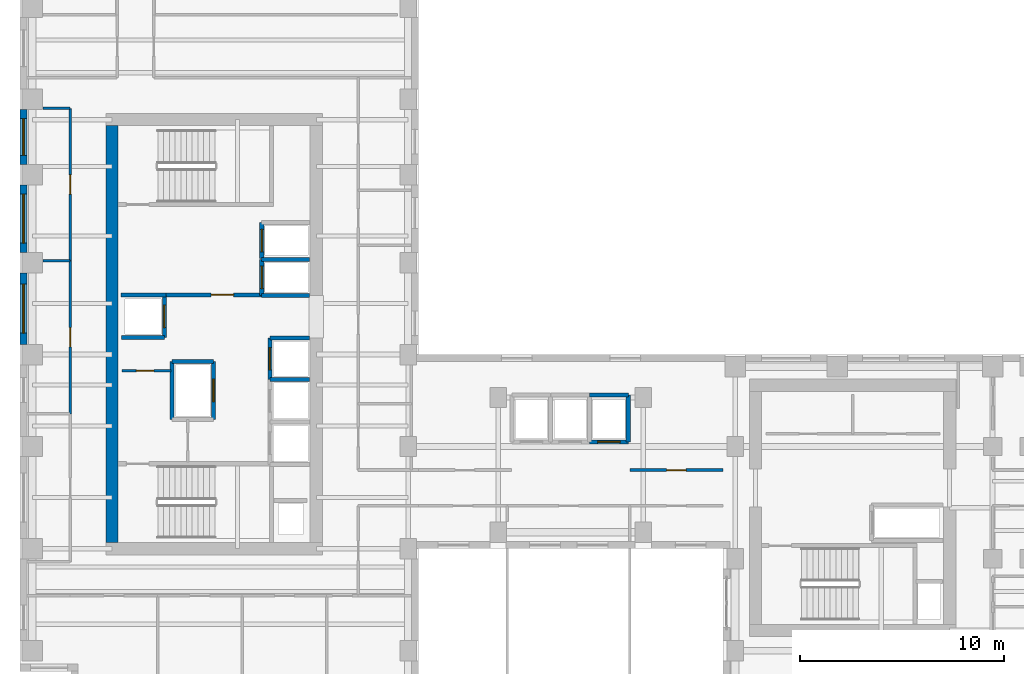
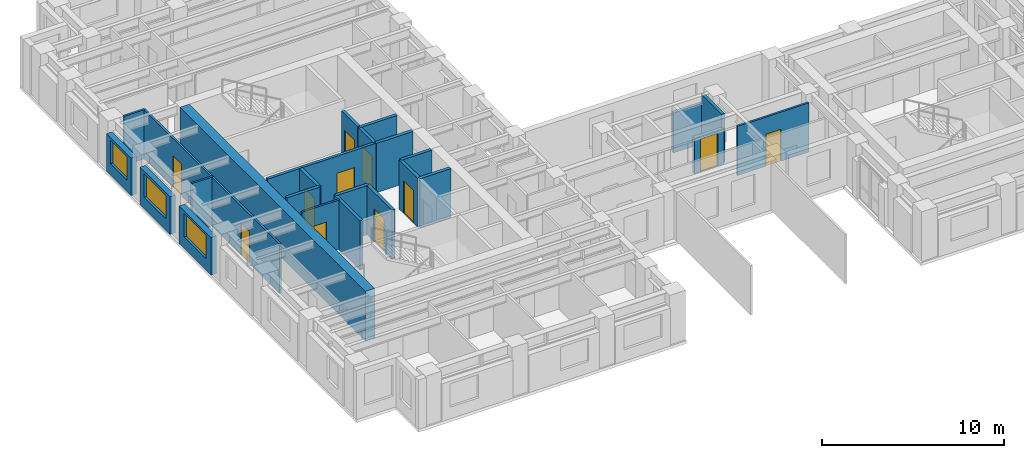
# One storey, part 6 of 12: 27 walls, 11 doors, 3 windows, 14 openings.
"""IFC4 building model written with IfcOpenShell, lengths in metres."""

from ifc_helpers import new_model, si_unit, direction, frame, frame_2d, origin, place, context, subcontext, project, spatial, rectangle, extrude, source, transform, mapped, material, layer, layer_set, type_object, element, fill, save


model = new_model("IFC4")

# Units and contexts
model_context = context("Model", 3, precision=1e-05, world=origin(), true_north=direction((0.0, 1.0)))
body_context = subcontext(model_context, "Body", "Model", "MODEL_VIEW")
ifc_project = project(units=[si_unit("LENGTHUNIT", "METRE"), si_unit("AREAUNIT", "SQUARE_METRE"), si_unit("VOLUMEUNIT", "CUBIC_METRE"), si_unit("PLANEANGLEUNIT", "RADIAN"), si_unit("MASSUNIT", "GRAM", prefix="KILO")], contexts=[model_context])

# Site, building, storey
site_placement = place(None, origin())
site = spatial("IfcSite", under=ifc_project, at=site_placement, CompositionType="ELEMENT")
building_placement = place(site_placement, origin())
building = spatial("IfcBuilding", under=site, at=building_placement, Name="Kharzan Plaza Tower", CompositionType="ELEMENT")
storey_placement = place(building_placement, frame((0.0, 0.0, 204.300048828125)))
storey = spatial("IfcBuildingStorey", under=building, at=storey_placement, Name="L55", CompositionType="ELEMENT", Elevation=204.300048828125)

# Wall, opening, window
ifc_material_1 = material(Name="Concrete C40/50", Category="concrete")
ifc_layer_1 = layer(ifc_material_1, 0.35009765625)
ifc_layer_set_1 = layer_set([ifc_layer_1], Name="Concrete C40/50")
wall_type_1 = type_object("IfcWallType", Name="WL-EXT-MAS-Z3", PredefinedType="SOLIDWALL", material=ifc_layer_set_1)
wall_1_placement = place(storey_placement, frame((0.175048828125, 30.001953125, 0.0), z_axis=(0.0, 0.0, 1.0), x_axis=(0.0, -1.0, 0.0)))
wall_1 = element("IfcWall", 1, at=wall_1_placement, inside=storey, type_object=wall_type_1, Name="L55 Masonry-Frame Exterior Wall 12", PredefinedType="SOLIDWALL", context=body_context, shape_type="SweptSolid", body=[
    extrude(rectangle(XDim=2.703857421875, YDim=0.35009765625, at=frame_2d((1.35205078125, 0.0))), origin(), (0.0, 0.0, 1.0), 2.531982421875),
])
opening_1_placement = place(wall_1_placement, frame((0.451904296875, 0.0, 0.780029296875)))
opening_1 = element("IfcOpeningElement", 2, at=opening_1_placement, cuts=wall_1, Name="Opening W1", PredefinedType="OPENING", context=body_context, shape_type="SweptSolid", body=[
    extrude(rectangle(XDim=1.800048828125, YDim=1.572021484375, at=frame_2d((0.89990234375, 0.7861328125))), frame((0.0, 0.18505859375, 0.0), z_axis=(0.0, -1.0, 0.0), x_axis=(1.0, 0.0, 0.0)), (0.0, 0.0, 1.0), 0.3701171875),
])
ifc_material_2 = material(Name="Low-E Double Glazing", Category="glass")
window_type_1 = type_object("IfcWindowType", Name="WN-REC-1800x2100", PartitioningType="SINGLE_PANEL", PredefinedType="WINDOW", material=ifc_material_2)
shared_shape_1 = source(origin(), body_context, "Body", "SweptSolid", [
    extrude(rectangle(XDim=1.800048828125, YDim=1.572021484375, at=frame_2d((0.89990234375, 0.7861328125))), frame((0.0, 0.030029296875, 0.0), z_axis=(0.0, -1.0, 0.0), x_axis=(1.0, 0.0, 0.0)), (0.0, 0.0, 1.0), 0.06005859375),
])
window_1_placement = place(opening_1_placement, origin())
window_1 = element("IfcWindow", 3, at=window_1_placement, inside=storey, type_object=window_type_1, Name="L55 Recessed Solar-Control Window 12-1", OverallHeight=1.572021484375, OverallWidth=1.800048828125, PartitioningType="SINGLE_PANEL", PredefinedType="WINDOW", context=body_context, shape_type="MappedRepresentation", body=[
    mapped(shared_shape_1, transform((0.0, 0.0, 0.0), x_axis=(1.0, 0.0, 0.0), y_axis=(0.0, 1.0, 0.0), z_axis=(0.0, 0.0, 1.0))),
])
fill(opening_1, window_1)

wall_2_placement = place(storey_placement, frame((0.175048828125, 26.302001953125, 0.0), z_axis=(0.0, 0.0, 1.0), x_axis=(0.0, -1.0, 0.0)))
wall_2 = element("IfcWall", 4, at=wall_2_placement, inside=storey, type_object=wall_type_1, Name="L55 Masonry-Frame Exterior Wall 13", PredefinedType="SOLIDWALL", context=body_context, shape_type="SweptSolid", body=[
    extrude(rectangle(XDim=3.303955078125, YDim=0.35009765625, at=frame_2d((1.65185546875, 0.0))), origin(), (0.0, 0.0, 1.0), 2.531982421875),
])
opening_2_placement = place(wall_2_placement, frame((0.451904296875, 0.0, 0.780029296875)))
opening_2 = element("IfcOpeningElement", 5, at=opening_2_placement, cuts=wall_2, Name="Opening W2", PredefinedType="OPENING", context=body_context, shape_type="SweptSolid", body=[
    extrude(rectangle(XDim=2.39990234375, YDim=1.572021484375, at=frame_2d((1.199951171875, 0.7861328125))), frame((0.0, 0.18505859375, 0.0), z_axis=(0.0, -1.0, 0.0), x_axis=(1.0, 0.0, 0.0)), (0.0, 0.0, 1.0), 0.3701171875),
])
window_type_2 = type_object("IfcWindowType", Name="WN-REC-2400x2100", PartitioningType="SINGLE_PANEL", PredefinedType="WINDOW", material=ifc_material_2)
shared_shape_2 = source(origin(), body_context, "Body", "SweptSolid", [
    extrude(rectangle(XDim=2.39990234375, YDim=1.572021484375, at=frame_2d((1.199951171875, 0.7861328125))), frame((0.0, 0.030029296875, 0.0), z_axis=(0.0, -1.0, 0.0), x_axis=(1.0, 0.0, 0.0)), (0.0, 0.0, 1.0), 0.06005859375),
])
window_2_placement = place(opening_2_placement, origin())
window_2 = element("IfcWindow", 6, at=window_2_placement, inside=storey, type_object=window_type_2, Name="L55 Wide Recessed Solar-Control Window 13-1", OverallHeight=1.572021484375, OverallWidth=2.39990234375, PartitioningType="SINGLE_PANEL", PredefinedType="WINDOW", context=body_context, shape_type="MappedRepresentation", body=[
    mapped(shared_shape_2, transform((0.0, 0.0, 0.0), x_axis=(1.0, 0.0, 0.0), y_axis=(0.0, 1.0, 0.0), z_axis=(0.0, 0.0, 1.0))),
])
fill(opening_2, window_2)

wall_3_placement = place(storey_placement, frame((0.175048828125, 22.001953125, 0.0), z_axis=(0.0, 0.0, 1.0), x_axis=(0.0, -1.0, 0.0)))
wall_3 = element("IfcWall", 7, at=wall_3_placement, inside=storey, type_object=wall_type_1, Name="L55 Masonry-Frame Exterior Wall 14", PredefinedType="SOLIDWALL", context=body_context, shape_type="SweptSolid", body=[
    extrude(rectangle(XDim=3.50390625, YDim=0.35009765625, at=frame_2d((1.751953125, 0.0))), origin(), (0.0, 0.0, 1.0), 2.531982421875),
])
opening_3_placement = place(wall_3_placement, frame((0.552001953125, 0.0, 0.780029296875)))
opening_3 = element("IfcOpeningElement", 8, at=opening_3_placement, cuts=wall_3, Name="Opening W2", PredefinedType="OPENING", context=body_context, shape_type="SweptSolid", body=[
    extrude(rectangle(XDim=2.39990234375, YDim=1.572021484375, at=frame_2d((1.199951171875, 0.7861328125))), frame((0.0, 0.18505859375, 0.0), z_axis=(0.0, -1.0, 0.0), x_axis=(1.0, 0.0, 0.0)), (0.0, 0.0, 1.0), 0.3701171875),
])
window_3_placement = place(opening_3_placement, origin())
window_3 = element("IfcWindow", 9, at=window_3_placement, inside=storey, type_object=window_type_2, Name="L55 Wide Recessed Solar-Control Window 14-1", OverallHeight=1.572021484375, OverallWidth=2.39990234375, PartitioningType="SINGLE_PANEL", PredefinedType="WINDOW", context=body_context, shape_type="MappedRepresentation", body=[
    mapped(shared_shape_2, transform((0.0, 0.0, 0.0), x_axis=(1.0, 0.0, 0.0), y_axis=(0.0, 1.0, 0.0), z_axis=(0.0, 0.0, 1.0))),
])
fill(opening_3, window_3)

# Wall, opening, door
ifc_layer_2 = layer(ifc_material_1, 0.179931640625)
ifc_layer_set_2 = layer_set([ifc_layer_2], Name="Concrete C40/50")
wall_type_2 = type_object("IfcWallType", Name="WL-INT-FIRE-180", PredefinedType="PARTITIONING", material=ifc_layer_set_2)
wall_4_placement = place(storey_placement, frame((7.14990234375, 20.919921875, 0.0), z_axis=(0.0, 0.0, 1.0), x_axis=(1.0, 0.0, 0.0)))
wall_4 = element("IfcWall", 10, at=wall_4_placement, inside=storey, type_object=wall_type_2, Name="L55 Interior Partition CA-FF-S", PredefinedType="PARTITIONING", context=body_context, shape_type="SweptSolid", body=[
    extrude(rectangle(XDim=4.68017578125, YDim=0.179931640625, at=frame_2d((2.340087890625, 0.0))), origin(), (0.0, 0.0, 1.0), 3.304931640625),
])
opening_4_placement = place(wall_4_placement, frame((2.199951171875, 0.0, 0.0)))
opening_4 = element("IfcOpeningElement", 11, at=opening_4_placement, cuts=wall_4, Name="Opening FD1", PredefinedType="OPENING", context=body_context, shape_type="SweptSolid", body=[
    extrude(rectangle(XDim=1.10009765625, YDim=2.14990234375, at=frame_2d((0.550048828125, 1.074951171875))), frame((0.0, 0.099853515625, 0.0), z_axis=(0.0, -1.0, 0.0), x_axis=(1.0, 0.0, 0.0)), (0.0, 0.0, 1.0), 0.199951171875),
])
ifc_material_3 = material(Name="Fire-Rated Acoustic Vision-Panel Steel", Category="steel")
door_type_1 = type_object("IfcDoorType", Name="DR-FIRE-LOBBY", OperationType="NOTDEFINED", PredefinedType="DOOR", material=ifc_material_3)
shared_shape_3 = source(origin(), body_context, "Body", "SweptSolid", [
    extrude(rectangle(XDim=1.10009765625, YDim=2.14990234375, at=frame_2d((0.550048828125, 1.074951171875))), frame((0.0, 0.02490234375, 0.0), z_axis=(0.0, -1.0, 0.0), x_axis=(1.0, 0.0, 0.0)), (0.0, 0.0, 1.0), 0.050048828125),
])
door_1_placement = place(opening_4_placement, origin())
door_1 = element("IfcDoor", 12, at=door_1_placement, inside=storey, type_object=door_type_1, Name="L55 Firefighting Lobby Door", OperationType="SINGLE_SWING_RIGHT", OverallHeight=2.14990234375, OverallWidth=1.10009765625, PredefinedType="DOOR", context=body_context, shape_type="MappedRepresentation", body=[
    mapped(shared_shape_3, transform((0.0, 0.0, 0.0), x_axis=(1.0, 0.0, 0.0), y_axis=(0.0, 1.0, 0.0), z_axis=(0.0, 0.0, 1.0))),
])
fill(opening_4, door_1)

ifc_material_4 = material(Name="Fire-Rated Gypsum Board Partition", Category="gypsum")
ifc_layer_3 = layer(ifc_material_4, 0.125)
ifc_layer_set_3 = layer_set([ifc_layer_3], Name="Fire-Rated Gypsum Board Partition")
wall_type_3 = type_object("IfcWallType", Name="WL-INT-PART-125", PredefinedType="PARTITIONING", material=ifc_layer_set_3)
wall_5_placement = place(storey_placement, frame((5.0, 17.199951171875, 0.0), z_axis=(0.0, 0.0, 1.0), x_axis=(1.0, 0.0, 0.0)))
wall_5 = element("IfcWall", 13, at=wall_5_placement, inside=storey, type_object=wall_type_3, Name="L55 Interior Partition CA-K1N2", PredefinedType="PARTITIONING", context=body_context, shape_type="SweptSolid", body=[
    extrude(rectangle(XDim=2.39990234375, YDim=0.125, at=frame_2d((1.199951171875, 0.0))), origin(), (0.0, 0.0, 1.0), 3.304931640625),
])
opening_5_placement = place(wall_5_placement, frame((0.699951171875, 0.0, 0.0)))
opening_5 = element("IfcOpeningElement", 14, at=opening_5_placement, cuts=wall_5, Name="Opening RD1", PredefinedType="OPENING", context=body_context, shape_type="SweptSolid", body=[
    extrude(rectangle(XDim=0.85009765625, YDim=2.10009765625, at=frame_2d((0.425048828125, 1.050048828125))), frame((0.0, 0.072509765625, 0.0), z_axis=(0.0, -1.0, 0.0), x_axis=(1.0, 0.0, 0.0)), (0.0, 0.0, 1.0), 0.14501953125),
])
ifc_material_5 = material(Name="Powder-Coated Fire-Rated Steel", Category="steel")
door_type_2 = type_object("IfcDoorType", Name="DR-RISER-900", OperationType="NOTDEFINED", PredefinedType="DOOR", material=ifc_material_5)
shared_shape_4 = source(origin(), body_context, "Body", "SweptSolid", [
    extrude(rectangle(XDim=0.85009765625, YDim=2.10009765625, at=frame_2d((0.425048828125, 1.050048828125))), frame((0.0, 0.02490234375, 0.0), z_axis=(0.0, -1.0, 0.0), x_axis=(1.0, 0.0, 0.0)), (0.0, 0.0, 1.0), 0.050048828125),
])
door_2_placement = place(opening_5_placement, origin())
door_2 = element("IfcDoor", 15, at=door_2_placement, inside=storey, type_object=door_type_2, Name="L55 Core Storage Room Door", OperationType="SINGLE_SWING_LEFT", OverallHeight=2.10009765625, OverallWidth=0.85009765625, PredefinedType="DOOR", context=body_context, shape_type="MappedRepresentation", body=[
    mapped(shared_shape_4, transform((0.0, 0.0, 0.0), x_axis=(1.0, 0.0, 0.0), y_axis=(0.0, 1.0, 0.0), z_axis=(0.0, 0.0, 1.0))),
])
fill(opening_5, door_2)

wall_6_placement = place(storey_placement, frame((29.85009765625, 12.35009765625, 0.0), z_axis=(0.0, 0.0, 1.0), x_axis=(1.0, 0.0, 0.0)))
wall_6 = element("IfcWall", 16, at=wall_6_placement, inside=storey, type_object=wall_type_3, Name="L55 Interior Partition SH-SPNE1", PredefinedType="PARTITIONING", context=body_context, shape_type="SweptSolid", body=[
    extrude(rectangle(XDim=4.5498046875, YDim=0.125, at=frame_2d((2.27490234375, 0.0))), origin(), (0.0, 0.0, 1.0), 3.304931640625),
])
opening_6_placement = place(wall_6_placement, frame((1.800048828125, 0.0, 0.0)))
opening_6 = element("IfcOpeningElement", 17, at=opening_6_placement, cuts=wall_6, Name="Opening OD1", PredefinedType="OPENING", context=body_context, shape_type="SweptSolid", body=[
    extrude(rectangle(XDim=0.949951171875, YDim=2.14990234375, at=frame_2d((0.47509765625, 1.074951171875))), frame((0.0, 0.072509765625, 0.0), z_axis=(0.0, -1.0, 0.0), x_axis=(1.0, 0.0, 0.0)), (0.0, 0.0, 1.0), 0.14501953125),
])
ifc_material_6 = material(Name="Acoustic Solid-Core Stained Oak", Category="timber")
door_type_3 = type_object("IfcDoorType", Name="DR-OFF-SINGLE", OperationType="NOTDEFINED", PredefinedType="DOOR", material=ifc_material_6)
shared_shape_5 = source(origin(), body_context, "Body", "SweptSolid", [
    extrude(rectangle(XDim=0.949951171875, YDim=2.14990234375, at=frame_2d((0.47509765625, 1.074951171875))), frame((0.0, 0.02490234375, 0.0), z_axis=(0.0, -1.0, 0.0), x_axis=(1.0, 0.0, 0.0)), (0.0, 0.0, 1.0), 0.050048828125),
])
door_3_placement = place(opening_6_placement, origin())
door_3 = element("IfcDoor", 18, at=door_3_placement, inside=storey, type_object=door_type_3, Name="L55 North-East Spine Door", OperationType="SINGLE_SWING_LEFT", OverallHeight=2.14990234375, OverallWidth=0.949951171875, PredefinedType="DOOR", context=body_context, shape_type="MappedRepresentation", body=[
    mapped(shared_shape_5, transform((0.0, 0.0, 0.0), x_axis=(1.0, 0.0, 0.0), y_axis=(0.0, 1.0, 0.0), z_axis=(0.0, 0.0, 1.0))),
])
fill(opening_6, door_3)

wall_7_placement = place(storey_placement, frame((2.449951171875, 15.10009765625, 0.0), z_axis=(0.0, 0.0, 1.0), x_axis=(0.0, 1.0, 0.0)))
wall_7 = element("IfcWall", 19, at=wall_7_placement, inside=storey, type_object=wall_type_3, Name="L55 Interior Partition SH-WW-2", PredefinedType="PARTITIONING", context=body_context, shape_type="SweptSolid", body=[
    extrude(rectangle(XDim=7.5, YDim=0.125, at=frame_2d((3.75, 0.0))), origin(), (0.0, 0.0, 1.0), 3.304931640625),
])
opening_7_placement = place(wall_7_placement, frame((3.27490234375, 0.0, 0.0)))
opening_7 = element("IfcOpeningElement", 20, at=opening_7_placement, cuts=wall_7, Name="Opening OD1", PredefinedType="OPENING", context=body_context, shape_type="SweptSolid", body=[
    extrude(rectangle(XDim=0.949951171875, YDim=2.14990234375, at=frame_2d((0.47509765625, 1.074951171875))), frame((0.0, 0.072509765625, 0.0), z_axis=(0.0, -1.0, 0.0), x_axis=(1.0, 0.0, 0.0)), (0.0, 0.0, 1.0), 0.14501953125),
])
door_4_placement = place(opening_7_placement, origin())
door_4 = element("IfcDoor", 21, at=door_4_placement, inside=storey, type_object=door_type_3, Name="L55 Executive Boardroom Door", OperationType="SINGLE_SWING_LEFT", OverallHeight=2.14990234375, OverallWidth=0.949951171875, PredefinedType="DOOR", context=body_context, shape_type="MappedRepresentation", body=[
    mapped(shared_shape_5, transform((0.0, 0.0, 0.0), x_axis=(1.0, 0.0, 0.0), y_axis=(0.0, 1.0, 0.0), z_axis=(0.0, 0.0, 1.0))),
])
fill(opening_7, door_4)

wall_8_placement = place(storey_placement, frame((2.449951171875, 22.60009765625, 0.0), z_axis=(0.0, 0.0, 1.0), x_axis=(0.0, 1.0, 0.0)))
wall_8 = element("IfcWall", 22, at=wall_8_placement, inside=storey, type_object=wall_type_3, Name="L55 Interior Partition SH-WW-3", PredefinedType="PARTITIONING", context=body_context, shape_type="SweptSolid", body=[
    extrude(rectangle(XDim=7.449951171875, YDim=0.125, at=frame_2d((3.72509765625, 0.0))), origin(), (0.0, 0.0, 1.0), 3.304931640625),
])
opening_8_placement = place(wall_8_placement, frame((3.25, 0.0, 0.0)))
opening_8 = element("IfcOpeningElement", 23, at=opening_8_placement, cuts=wall_8, Name="Opening OD1", PredefinedType="OPENING", context=body_context, shape_type="SweptSolid", body=[
    extrude(rectangle(XDim=0.949951171875, YDim=2.14990234375, at=frame_2d((0.47509765625, 1.074951171875))), frame((0.0, 0.072509765625, 0.0), z_axis=(0.0, -1.0, 0.0), x_axis=(1.0, 0.0, 0.0)), (0.0, 0.0, 1.0), 0.14501953125),
])
door_5_placement = place(opening_8_placement, origin())
door_5 = element("IfcDoor", 24, at=door_5_placement, inside=storey, type_object=door_type_3, Name="L55 Staff Tea Pantry Door", OperationType="SINGLE_SWING_RIGHT", OverallHeight=2.14990234375, OverallWidth=0.949951171875, PredefinedType="DOOR", context=body_context, shape_type="MappedRepresentation", body=[
    mapped(shared_shape_5, transform((0.0, 0.0, 0.0), x_axis=(1.0, 0.0, 0.0), y_axis=(0.0, 1.0, 0.0), z_axis=(0.0, 0.0, 1.0))),
])
fill(opening_8, door_5)

ifc_layer_4 = layer(ifc_material_1, 0.199951171875)
ifc_layer_set_4 = layer_set([ifc_layer_4], Name="Concrete C40/50")
wall_type_4 = type_object("IfcWallType", Name="WL-INT-SHAFT-200", PredefinedType="PARTITIONING", material=ifc_layer_set_4)
wall_9_placement = place(storey_placement, frame((11.830078125, 20.89990234375, 0.0), z_axis=(0.0, 0.0, 1.0), x_axis=(0.0, 1.0, 0.0)))
wall_9 = element("IfcWall", 25, at=wall_9_placement, inside=storey, type_object=wall_type_4, Name="L55 Interior Partition SHF-FFL-1-W", PredefinedType="PARTITIONING", context=body_context, shape_type="SweptSolid", body=[
    extrude(rectangle(XDim=1.760009765625, YDim=0.199951171875, at=frame_2d((0.8798828125, 0.0))), origin(), (0.0, 0.0, 1.0), 3.304931640625),
])
opening_9_placement = place(wall_9_placement, frame((0.330078125, 0.0, 0.0)))
opening_9 = element("IfcOpeningElement", 26, at=opening_9_placement, cuts=wall_9, Name="Opening LD", PredefinedType="OPENING", context=body_context, shape_type="SweptSolid", body=[
    extrude(rectangle(XDim=1.10009765625, YDim=2.199951171875, at=frame_2d((0.550048828125, 1.10009765625))), frame((0.0, 0.10986328125, 0.0), z_axis=(0.0, -1.0, 0.0), x_axis=(1.0, 0.0, 0.0)), (0.0, 0.0, 1.0), 0.219970703125),
])
ifc_material_7 = material(Name="Brushed Stainless Steel", Category="steel")
door_type_4 = type_object("IfcDoorType", Name="DR-LIFT-SLIDE", OperationType="SLIDING_TO_LEFT", PredefinedType="DOOR", material=ifc_material_7)
shared_shape_6 = source(origin(), body_context, "Body", "SweptSolid", [
    extrude(rectangle(XDim=1.10009765625, YDim=2.199951171875, at=frame_2d((0.550048828125, 1.10009765625))), frame((0.0, 0.02490234375, 0.0), z_axis=(0.0, -1.0, 0.0), x_axis=(1.0, 0.0, 0.0)), (0.0, 0.0, 1.0), 0.050048828125),
])
door_6_placement = place(opening_9_placement, origin())
door_6 = element("IfcDoor", 27, at=door_6_placement, inside=storey, type_object=door_type_4, Name="L55 Firefighting Lift FFL-1 Sliding Landing Door", OperationType="SLIDING_TO_LEFT", OverallHeight=2.199951171875, OverallWidth=1.10009765625, PredefinedType="DOOR", context=body_context, shape_type="MappedRepresentation", body=[
    mapped(shared_shape_6, transform((0.0, 0.0, 0.0), x_axis=(1.0, 0.0, 0.0), y_axis=(0.0, 1.0, 0.0), z_axis=(0.0, 0.0, 1.0))),
])
fill(opening_9, door_6)

wall_10_placement = place(storey_placement, frame((11.830078125, 22.699951171875, 0.0), z_axis=(0.0, 0.0, 1.0), x_axis=(0.0, 1.0, 0.0)))
wall_10 = element("IfcWall", 28, at=wall_10_placement, inside=storey, type_object=wall_type_4, Name="L55 Interior Partition SHF-FFL-2-W", PredefinedType="PARTITIONING", context=body_context, shape_type="SweptSolid", body=[
    extrude(rectangle(XDim=1.760009765625, YDim=0.199951171875, at=frame_2d((0.8798828125, 0.0))), origin(), (0.0, 0.0, 1.0), 3.304931640625),
])
opening_10_placement = place(wall_10_placement, frame((0.330078125, 0.0, 0.0)))
opening_10 = element("IfcOpeningElement", 29, at=opening_10_placement, cuts=wall_10, Name="Opening LD", PredefinedType="OPENING", context=body_context, shape_type="SweptSolid", body=[
    extrude(rectangle(XDim=1.10009765625, YDim=2.199951171875, at=frame_2d((0.550048828125, 1.10009765625))), frame((0.0, 0.10986328125, 0.0), z_axis=(0.0, -1.0, 0.0), x_axis=(1.0, 0.0, 0.0)), (0.0, 0.0, 1.0), 0.219970703125),
])
door_7_placement = place(opening_10_placement, origin())
door_7 = element("IfcDoor", 30, at=door_7_placement, inside=storey, type_object=door_type_4, Name="L55 Firefighting Lift FFL-2 Sliding Landing Door", OperationType="SLIDING_TO_LEFT", OverallHeight=2.199951171875, OverallWidth=1.10009765625, PredefinedType="DOOR", context=body_context, shape_type="MappedRepresentation", body=[
    mapped(shared_shape_6, transform((0.0, 0.0, 0.0), x_axis=(1.0, 0.0, 0.0), y_axis=(0.0, 1.0, 0.0), z_axis=(0.0, 0.0, 1.0))),
])
fill(opening_10, door_7)

wall_11_placement = place(storey_placement, frame((12.22998046875, 16.77001953125, 0.0), z_axis=(0.0, 0.0, 1.0), x_axis=(0.0, 1.0, 0.0)))
wall_11 = element("IfcWall", 31, at=wall_11_placement, inside=storey, type_object=wall_type_4, Name="L55 Interior Partition SHF-PL-H3-W", PredefinedType="PARTITIONING", context=body_context, shape_type="SweptSolid", body=[
    extrude(rectangle(XDim=2.050048828125, YDim=0.199951171875, at=frame_2d((1.02490234375, 0.0))), origin(), (0.0, 0.0, 1.0), 3.304931640625),
])
opening_11_placement = place(wall_11_placement, frame((0.47509765625, 0.0, 0.0)))
opening_11 = element("IfcOpeningElement", 32, at=opening_11_placement, cuts=wall_11, Name="Opening LD", PredefinedType="OPENING", context=body_context, shape_type="SweptSolid", body=[
    extrude(rectangle(XDim=1.10009765625, YDim=2.199951171875, at=frame_2d((0.550048828125, 1.10009765625))), frame((0.0, 0.10986328125, 0.0), z_axis=(0.0, -1.0, 0.0), x_axis=(1.0, 0.0, 0.0)), (0.0, 0.0, 1.0), 0.219970703125),
])
door_8_placement = place(opening_11_placement, origin())
door_8 = element("IfcDoor", 33, at=door_8_placement, inside=storey, type_object=door_type_4, Name="L55 High-Rise Passenger Lift PL-H3 Sliding Landing Door", OperationType="SLIDING_TO_LEFT", OverallHeight=2.199951171875, OverallWidth=1.10009765625, PredefinedType="DOOR", context=body_context, shape_type="MappedRepresentation", body=[
    mapped(shared_shape_6, transform((0.0, 0.0, 0.0), x_axis=(1.0, 0.0, 0.0), y_axis=(0.0, 1.0, 0.0), z_axis=(0.0, 0.0, 1.0))),
])
fill(opening_11, door_8)

wall_12_placement = place(storey_placement, frame((7.070068359375, 18.840087890625, 0.0), z_axis=(0.0, 0.0, 1.0), x_axis=(0.0, 1.0, 0.0)))
wall_12 = element("IfcWall", 34, at=wall_12_placement, inside=storey, type_object=wall_type_4, Name="L55 Interior Partition SHF-PL-H4-E", PredefinedType="PARTITIONING", context=body_context, shape_type="SweptSolid", body=[
    extrude(rectangle(XDim=2.059814453125, YDim=0.199951171875, at=frame_2d((1.02978515625, 0.0))), origin(), (0.0, 0.0, 1.0), 3.304931640625),
])
opening_12_placement = place(wall_12_placement, frame((0.47998046875, 0.0, 0.0)))
opening_12 = element("IfcOpeningElement", 35, at=opening_12_placement, cuts=wall_12, Name="Opening LD", PredefinedType="OPENING", context=body_context, shape_type="SweptSolid", body=[
    extrude(rectangle(XDim=1.10009765625, YDim=2.199951171875, at=frame_2d((0.550048828125, 1.10009765625))), frame((0.0, 0.10986328125, 0.0), z_axis=(0.0, -1.0, 0.0), x_axis=(1.0, 0.0, 0.0)), (0.0, 0.0, 1.0), 0.219970703125),
])
door_9_placement = place(opening_12_placement, origin())
door_9 = element("IfcDoor", 36, at=door_9_placement, inside=storey, type_object=door_type_4, Name="L55 High-Rise Passenger Lift PL-H4 Sliding Landing Door", OperationType="SLIDING_TO_LEFT", OverallHeight=2.199951171875, OverallWidth=1.10009765625, PredefinedType="DOOR", context=body_context, shape_type="MappedRepresentation", body=[
    mapped(shared_shape_6, transform((0.0, 0.0, 0.0), x_axis=(1.0, 0.0, 0.0), y_axis=(0.0, 1.0, 0.0), z_axis=(0.0, 0.0, 1.0))),
])
fill(opening_12, door_9)

wall_13_placement = place(storey_placement, frame((27.8798828125, 13.72998046875, 0.0), z_axis=(0.0, 0.0, 1.0), x_axis=(1.0, 0.0, 0.0)))
wall_13 = element("IfcWall", 37, at=wall_13_placement, inside=storey, type_object=wall_type_4, Name="L55 Interior Partition SHF-PL-M3-S", PredefinedType="PARTITIONING", context=body_context, shape_type="SweptSolid", body=[
    extrude(rectangle(XDim=1.89013671875, YDim=0.199951171875, at=frame_2d((0.945068359375, 0.0))), origin(), (0.0, 0.0, 1.0), 2.385986328125),
])
opening_13_placement = place(wall_13_placement, frame((0.39501953125, 0.0, 0.0)))
opening_13 = element("IfcOpeningElement", 38, at=opening_13_placement, cuts=wall_13, Name="Opening LD", PredefinedType="OPENING", context=body_context, shape_type="SweptSolid", body=[
    extrude(rectangle(XDim=1.10009765625, YDim=2.199951171875, at=frame_2d((0.550048828125, 1.10009765625))), frame((0.0, 0.10986328125, 0.0), z_axis=(0.0, -1.0, 0.0), x_axis=(1.0, 0.0, 0.0)), (0.0, 0.0, 1.0), 0.219970703125),
])
door_10_placement = place(opening_13_placement, origin())
door_10 = element("IfcDoor", 39, at=door_10_placement, inside=storey, type_object=door_type_4, Name="L55 Mid-Rise Passenger Lift PL-M3 Sliding Landing Door", OperationType="SLIDING_TO_LEFT", OverallHeight=2.199951171875, OverallWidth=1.10009765625, PredefinedType="DOOR", context=body_context, shape_type="MappedRepresentation", body=[
    mapped(shared_shape_6, transform((0.0, 0.0, 0.0), x_axis=(1.0, 0.0, 0.0), y_axis=(0.0, 1.0, 0.0), z_axis=(0.0, 0.0, 1.0))),
])
fill(opening_13, door_10)

wall_14_placement = place(storey_placement, frame((9.469970703125, 14.830078125, 0.0), z_axis=(0.0, 0.0, 1.0), x_axis=(0.0, 1.0, 0.0)))
wall_14 = element("IfcWall", 40, at=wall_14_placement, inside=storey, type_object=wall_type_4, Name="L55 Interior Partition SHF-SVL-1-E", PredefinedType="PARTITIONING", context=body_context, shape_type="SweptSolid", body=[
    extrude(rectangle(XDim=2.83984375, YDim=0.199951171875, at=frame_2d((1.419921875, 0.0))), origin(), (0.0, 0.0, 1.0), 3.304931640625),
])
opening_14_placement = place(wall_14_placement, frame((0.8701171875, 0.0, 0.0)))
opening_14 = element("IfcOpeningElement", 41, at=opening_14_placement, cuts=wall_14, Name="Opening LD", PredefinedType="OPENING", context=body_context, shape_type="SweptSolid", body=[
    extrude(rectangle(XDim=1.10009765625, YDim=2.199951171875, at=frame_2d((0.550048828125, 1.10009765625))), frame((0.0, 0.10986328125, 0.0), z_axis=(0.0, -1.0, 0.0), x_axis=(1.0, 0.0, 0.0)), (0.0, 0.0, 1.0), 0.219970703125),
])
door_11_placement = place(opening_14_placement, origin())
door_11 = element("IfcDoor", 42, at=door_11_placement, inside=storey, type_object=door_type_4, Name="L55 Service Lift SVL-1 Sliding Landing Door", OperationType="SLIDING_TO_LEFT", OverallHeight=2.199951171875, OverallWidth=1.10009765625, PredefinedType="DOOR", context=body_context, shape_type="MappedRepresentation", body=[
    mapped(shared_shape_6, transform((0.0, 0.0, 0.0), x_axis=(1.0, 0.0, 0.0), y_axis=(0.0, 1.0, 0.0), z_axis=(0.0, 0.0, 1.0))),
])
fill(opening_14, door_11)

# Walls
shared_shape_7 = source(origin(), body_context, "Body", "SweptSolid", [
    extrude(rectangle(XDim=2.090087890625, YDim=0.199951171875, at=frame_2d((1.044921875, 0.0))), origin(), (0.0, 0.0, 1.0), 3.304931640625),
])
wall_15_placement = place(storey_placement, frame((4.97998046875, 18.840087890625, 0.0), z_axis=(0.0, 0.0, 1.0), x_axis=(1.0, 0.0, 0.0)))
element("IfcWall", 43, at=wall_15_placement, inside=storey, type_object=wall_type_4, Name="L55 Interior Partition SHF-PL-H4-S", PredefinedType="PARTITIONING", context=body_context, shape_type="MappedRepresentation", body=[
    mapped(shared_shape_7, transform((0.0, 0.0, 0.0), x_axis=(1.0, 0.0, 0.0), y_axis=(0.0, 1.0, 0.0), z_axis=(0.0, 0.0, 1.0))),
])
shared_shape_8 = source(origin(), body_context, "Body", "SweptSolid", [
    extrude(rectangle(XDim=2.2900390625, YDim=0.199951171875, at=frame_2d((1.14501953125, 0.0))), origin(), (0.0, 0.0, 1.0), 3.304931640625),
])
wall_16_placement = place(storey_placement, frame((29.77001953125, 13.72998046875, 0.0), z_axis=(0.0, 0.0, 1.0), x_axis=(0.0, 1.0, 0.0)))
element("IfcWall", 44, at=wall_16_placement, inside=storey, type_object=wall_type_4, Name="L55 Interior Partition SHF-PL-M3-E", PredefinedType="PARTITIONING", context=body_context, shape_type="MappedRepresentation", body=[
    mapped(shared_shape_8, transform((0.0, 0.0, 0.0), x_axis=(1.0, 0.0, 0.0), y_axis=(0.0, 1.0, 0.0), z_axis=(0.0, 0.0, 1.0))),
])
shared_shape_9 = source(origin(), body_context, "Body", "SweptSolid", [
    extrude(rectangle(XDim=2.0400390625, YDim=0.199951171875, at=frame_2d((1.02001953125, 0.0))), origin(), (0.0, 0.0, 1.0), 3.304931640625),
])
wall_17_placement = place(storey_placement, frame((7.429931640625, 17.669921875, 0.0), z_axis=(0.0, 0.0, 1.0), x_axis=(1.0, 0.0, 0.0)))
element("IfcWall", 45, at=wall_17_placement, inside=storey, type_object=wall_type_4, Name="L55 Interior Partition SHF-SVL-1-N", PredefinedType="PARTITIONING", context=body_context, shape_type="MappedRepresentation", body=[
    mapped(shared_shape_9, transform((0.0, 0.0, 0.0), x_axis=(1.0, 0.0, 0.0), y_axis=(0.0, 1.0, 0.0), z_axis=(0.0, 0.0, 1.0))),
])
shared_shape_10 = source(origin(), body_context, "Body", "SweptSolid", [
    extrude(rectangle(XDim=2.83984375, YDim=0.199951171875, at=frame_2d((1.419921875, 0.0))), origin(), (0.0, 0.0, 1.0), 3.304931640625),
])
wall_18_placement = place(storey_placement, frame((7.429931640625, 14.830078125, 0.0), z_axis=(0.0, 0.0, 1.0), x_axis=(0.0, 1.0, 0.0)))
element("IfcWall", 46, at=wall_18_placement, inside=storey, type_object=wall_type_4, Name="L55 Interior Partition SHF-SVL-1-W", PredefinedType="PARTITIONING", context=body_context, shape_type="MappedRepresentation", body=[
    mapped(shared_shape_10, transform((0.0, 0.0, 0.0), x_axis=(1.0, 0.0, 0.0), y_axis=(0.0, 1.0, 0.0), z_axis=(0.0, 0.0, 1.0))),
])
shared_shape_11 = source(origin(), body_context, "Body", "SweptSolid", [
    extrude(rectangle(XDim=2.199951171875, YDim=0.179931640625, at=frame_2d((1.10009765625, 0.0))), origin(), (0.0, 0.0, 1.0), 3.304931640625),
])
wall_19_placement = place(storey_placement, frame((4.949951171875, 20.919921875, 0.0), z_axis=(0.0, 0.0, 1.0), x_axis=(1.0, 0.0, 0.0)))
element("IfcWall", 47, at=wall_19_placement, inside=storey, type_object=wall_type_2, Name="L55 Interior Partition CA-FF-SW", PredefinedType="PARTITIONING", context=body_context, shape_type="MappedRepresentation", body=[
    mapped(shared_shape_11, transform((0.0, 0.0, 0.0), x_axis=(1.0, 0.0, 0.0), y_axis=(0.0, 1.0, 0.0), z_axis=(0.0, 0.0, 1.0))),
])
ifc_material_8 = material(Name="Concrete C50/60", Category="concrete")
ifc_layer_5 = layer(ifc_material_8, 0.60009765625)
ifc_layer_set_5 = layer_set([ifc_layer_5], Name="Concrete C50/60")
wall_type_5 = type_object("IfcWallType", Name="WL-CORE-600", PredefinedType="SHEAR", material=ifc_layer_set_5)
shared_shape_12 = source(origin(), body_context, "Body", "SweptSolid", [
    extrude(rectangle(XDim=20.39990234375, YDim=0.60009765625, at=frame_2d((10.199951171875, 0.0))), origin(), (0.0, 0.0, 1.0), 3.320068359375),
])
wall_20_placement = place(storey_placement, frame((4.5, 8.800048828125, 0.0), z_axis=(0.0, 0.0, 1.0), x_axis=(0.0, 1.0, 0.0)))
element("IfcWall", 48, at=wall_20_placement, inside=storey, type_object=wall_type_5, Name="L55 CORE-A west RC shear wall", PredefinedType="SHEAR", context=body_context, shape_type="MappedRepresentation", body=[
    mapped(shared_shape_12, transform((0.0, 0.0, 0.0), x_axis=(1.0, 0.0, 0.0), y_axis=(0.0, 1.0, 0.0), z_axis=(0.0, 0.0, 1.0))),
])
shared_shape_13 = source(origin(), body_context, "Body", "SweptSolid", [
    extrude(rectangle(XDim=1.329833984375, YDim=0.125, at=frame_2d((0.6650390625, 0.0))), origin(), (0.0, 0.0, 1.0), 3.304931640625),
])
for number, where, z_axis, x_axis, name in (
    (49, (1.1201171875, 30.050048828125, 0.0), (0.0, 0.0, 1.0), (1.0, 0.0, 0.0), "L55 Interior Partition SH-RWN0"),
    (50, (1.1201171875, 22.60009765625, 0.0), (0.0, 0.0, 1.0), (1.0, 0.0, 0.0), "L55 Interior Partition SH-WH-2"),
):
    element("IfcWall", number, at=place(storey_placement, frame(where, z_axis=z_axis, x_axis=x_axis)), inside=storey, type_object=wall_type_3, Name=name, PredefinedType="PARTITIONING", context=body_context, shape_type="MappedRepresentation", body=[
        mapped(shared_shape_13, transform((0.0, 0.0, 0.0), x_axis=(1.0, 0.0, 0.0), y_axis=(0.0, 1.0, 0.0), z_axis=(0.0, 0.0, 1.0))),
    ])
shared_shape_14 = source(origin(), body_context, "Body", "SweptSolid", [
    extrude(rectangle(XDim=2.33984375, YDim=0.199951171875, at=frame_2d((1.169921875, 0.0))), origin(), (0.0, 0.0, 1.0), 3.304931640625),
])
for number, where, z_axis, x_axis, name in (
    (51, (11.830078125, 22.659912109375, 0.0), (0.0, 0.0, 1.0), (1.0, 0.0, 0.0), "L55 Interior Partition SHF-FFL-1-N"),
    (52, (11.830078125, 20.89990234375, 0.0), (0.0, 0.0, 1.0), (1.0, 0.0, 0.0), "L55 Interior Partition SHF-FFL-1-S"),
):
    element("IfcWall", number, at=place(storey_placement, frame(where, z_axis=z_axis, x_axis=x_axis)), inside=storey, type_object=wall_type_4, Name=name, PredefinedType="PARTITIONING", context=body_context, shape_type="MappedRepresentation", body=[
        mapped(shared_shape_14, transform((0.0, 0.0, 0.0), x_axis=(1.0, 0.0, 0.0), y_axis=(0.0, 1.0, 0.0), z_axis=(0.0, 0.0, 1.0))),
    ])
shared_shape_15 = source(origin(), body_context, "Body", "SweptSolid", [
    extrude(rectangle(XDim=1.93994140625, YDim=0.199951171875, at=frame_2d((0.969970703125, 0.0))), origin(), (0.0, 0.0, 1.0), 3.304931640625),
])
for number, where, z_axis, x_axis, name in (
    (53, (12.22998046875, 16.77001953125, 0.0), (0.0, 0.0, 1.0), (1.0, 0.0, 0.0), "L55 Interior Partition SHF-PL-H2-N"),
    (54, (12.22998046875, 18.820068359375, 0.0), (0.0, 0.0, 1.0), (1.0, 0.0, 0.0), "L55 Interior Partition SHF-PL-H3-N"),
):
    element("IfcWall", number, at=place(storey_placement, frame(where, z_axis=z_axis, x_axis=x_axis)), inside=storey, type_object=wall_type_4, Name=name, PredefinedType="PARTITIONING", context=body_context, shape_type="MappedRepresentation", body=[
        mapped(shared_shape_15, transform((0.0, 0.0, 0.0), x_axis=(1.0, 0.0, 0.0), y_axis=(0.0, 1.0, 0.0), z_axis=(0.0, 0.0, 1.0))),
    ])
shared_shape_16 = source(origin(), body_context, "Body", "SweptSolid", [
    extrude(rectangle(XDim=1.89013671875, YDim=0.199951171875, at=frame_2d((0.945068359375, 0.0))), origin(), (0.0, 0.0, 1.0), 2.69287109375),
])
wall_21_placement = place(storey_placement, frame((27.8798828125, 16.02001953125, 0.0), z_axis=(0.0, 0.0, 1.0), x_axis=(1.0, 0.0, 0.0)))
element("IfcWall", 55, at=wall_21_placement, inside=storey, type_object=wall_type_4, Name="L55 Interior Partition SHF-PL-M3-N", PredefinedType="PARTITIONING", context=body_context, shape_type="MappedRepresentation", body=[
    mapped(shared_shape_16, transform((0.0, 0.0, 0.0), x_axis=(1.0, 0.0, 0.0), y_axis=(0.0, 1.0, 0.0), z_axis=(0.0, 0.0, 1.0))),
])

save(model, "model.ifc")
